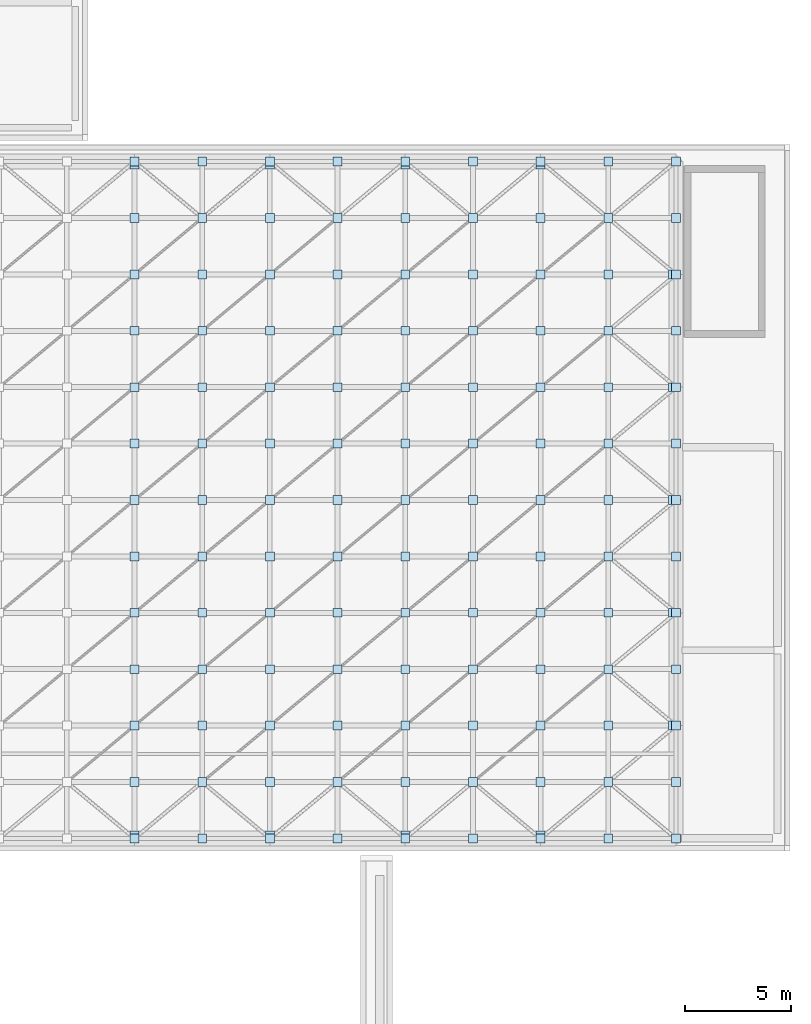
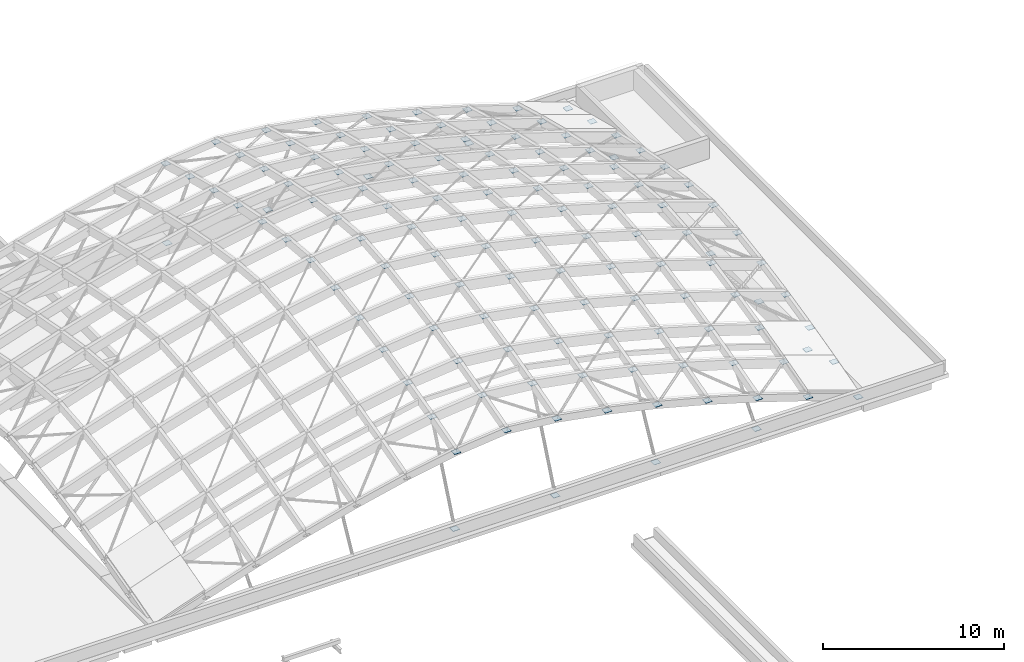
# One storey, part 36 of 40: 130 plates.
"""IFC4 building model written with IfcOpenShell, lengths in metres."""

from ifc_helpers import new_model, si_unit, direction, frame, origin, origin_2d, place, context, subcontext, project, spatial, rectangle, extrude, material, layer, layer_set, type_object, element, save


model = new_model("IFC4")

# Units and contexts
model_context = context("Model", 3, precision=1e-05, world=origin(), true_north=direction((0.0, 1.0)))
body_context = subcontext(model_context, "Body", "Model", "MODEL_VIEW")
ifc_project = project(units=[si_unit("LENGTHUNIT", "METRE"), si_unit("AREAUNIT", "SQUARE_METRE"), si_unit("VOLUMEUNIT", "CUBIC_METRE"), si_unit("PLANEANGLEUNIT", "RADIAN"), si_unit("MASSUNIT", "GRAM", prefix="KILO")], contexts=[model_context])

# Site, building, storey
site_placement = place(None, origin())
site = spatial("IfcSite", under=ifc_project, at=site_placement, CompositionType="ELEMENT")
building_placement = place(site_placement, origin())
building = spatial("IfcBuilding", under=site, at=building_placement, Name="Mzevani Central Library", CompositionType="ELEMENT")
storey_placement = place(building_placement, frame((0.0, 0.0, 26.699951171875)))
storey = spatial("IfcBuildingStorey", under=building, at=storey_placement, Name="RF", CompositionType="ELEMENT", Elevation=26.699951171875)

# Plates
ifc_material = material(Name="Steel S355J2", Category="steel")
ifc_layer = layer(ifc_material, 0.02001953125, Name="Gridshell Hub Gusset Plate 20")
ifc_layer_set = layer_set([ifc_layer], Name="Steel S355J2")
plate_type = type_object("IfcPlateType", Name="Gridshell Hub Gusset Plate 20", PredefinedType="SHEET", material=ifc_layer_set)
for number, where, z_axis, x_axis, name in (
    (1, (133.39990234375, 43.10009765625, -7.693115234375), (0.0, 0.0, 1.0), (1.0, 0.0, 0.0), "RF Gridshell Hub Gusset Node 7.1"),
    (2, (133.39990234375, 45.7666015625, -6.949951171875), (0.0, 0.0, 1.0), (1.0, 0.0, 0.0), "RF Gridshell Hub Gusset Node 7.2"),
    (3, (133.39990234375, 48.433349609375, -6.270751953125), (0.0, 0.0, 1.0), (1.0, 0.0, 0.0), "RF Gridshell Hub Gusset Node 7.3"),
    (4, (133.39990234375, 51.10009765625, -5.66455078125), (0.0, 0.0, 1.0), (1.0, 0.0, 0.0), "RF Gridshell Hub Gusset Node 7.4"),
    (5, (133.39990234375, 53.7666015625, -5.143798828125), (0.0, 0.0, 1.0), (1.0, 0.0, 0.0), "RF Gridshell Hub Gusset Node 7.5"),
    (6, (133.39990234375, 56.433349609375, -4.7314453125), (0.0, 0.0, 1.0), (1.0, 0.0, 0.0), "RF Gridshell Hub Gusset Node 7.6"),
    (7, (133.39990234375, 59.10009765625, -4.4931640625), (0.0, 0.0, 1.0), (1.0, 0.0, 0.0), "RF Gridshell Hub Gusset Node 7.7"),
    (8, (133.39990234375, 61.7666015625, -4.7314453125), (0.0, 0.0, 1.0), (1.0, 0.0, 0.0), "RF Gridshell Hub Gusset Node 7.8"),
    (9, (133.39990234375, 64.433349609375, -5.143798828125), (0.0, 0.0, 1.0), (1.0, 0.0, 0.0), "RF Gridshell Hub Gusset Node 7.9"),
    (10, (133.39990234375, 67.10009765625, -5.66455078125), (0.0, 0.0, 1.0), (1.0, 0.0, 0.0), "RF Gridshell Hub Gusset Node 7.10"),
    (11, (133.39990234375, 69.7666015625, -6.270751953125), (0.0, 0.0, 1.0), (1.0, 0.0, 0.0), "RF Gridshell Hub Gusset Node 7.11"),
    (12, (133.39990234375, 72.433349609375, -6.949951171875), (0.0, 0.0, 1.0), (1.0, 0.0, 0.0), "RF Gridshell Hub Gusset Node 7.12"),
    (13, (133.39990234375, 75.10009765625, -7.693115234375), (0.0, 0.0, 1.0), (1.0, 0.0, 0.0), "RF Gridshell Hub Gusset Node 7.13"),
    (14, (136.60009765625, 43.10009765625, -7.35986328125), (0.0, 0.0, 1.0), (1.0, 0.0, 0.0), "RF Gridshell Hub Gusset Node 8.1"),
    (15, (136.60009765625, 45.7666015625, -6.616455078125), (0.0, 0.0, 1.0), (1.0, 0.0, 0.0), "RF Gridshell Hub Gusset Node 8.2"),
    (16, (136.60009765625, 48.433349609375, -5.9375), (0.0, 0.0, 1.0), (1.0, 0.0, 0.0), "RF Gridshell Hub Gusset Node 8.3"),
    (17, (136.60009765625, 51.10009765625, -5.331298828125), (0.0, 0.0, 1.0), (1.0, 0.0, 0.0), "RF Gridshell Hub Gusset Node 8.4"),
    (18, (136.60009765625, 53.7666015625, -4.810546875), (0.0, 0.0, 1.0), (1.0, 0.0, 0.0), "RF Gridshell Hub Gusset Node 8.5"),
    (19, (136.60009765625, 56.433349609375, -4.398193359375), (0.0, 0.0, 1.0), (1.0, 0.0, 0.0), "RF Gridshell Hub Gusset Node 8.6"),
    (20, (136.60009765625, 59.10009765625, -4.159912109375), (0.0, 0.0, 1.0), (1.0, 0.0, 0.0), "RF Gridshell Hub Gusset Node 8.7"),
    (21, (136.60009765625, 61.7666015625, -4.398193359375), (0.0, 0.0, 1.0), (1.0, 0.0, 0.0), "RF Gridshell Hub Gusset Node 8.8"),
    (22, (136.60009765625, 64.433349609375, -4.810546875), (0.0, 0.0, 1.0), (1.0, 0.0, 0.0), "RF Gridshell Hub Gusset Node 8.9"),
    (23, (136.60009765625, 67.10009765625, -5.331298828125), (0.0, 0.0, 1.0), (1.0, 0.0, 0.0), "RF Gridshell Hub Gusset Node 8.10"),
    (24, (136.60009765625, 69.7666015625, -5.9375), (0.0, 0.0, 1.0), (1.0, 0.0, 0.0), "RF Gridshell Hub Gusset Node 8.11"),
    (25, (136.60009765625, 72.433349609375, -6.616455078125), (0.0, 0.0, 1.0), (1.0, 0.0, 0.0), "RF Gridshell Hub Gusset Node 8.12"),
    (26, (136.60009765625, 75.10009765625, -7.35986328125), (0.0, 0.0, 1.0), (1.0, 0.0, 0.0), "RF Gridshell Hub Gusset Node 8.13"),
    (27, (139.800048828125, 43.10009765625, -7.693115234375), (0.0, 0.0, 1.0), (1.0, 0.0, 0.0), "RF Gridshell Hub Gusset Node 9.1"),
    (28, (139.800048828125, 45.7666015625, -6.949951171875), (0.0, 0.0, 1.0), (1.0, 0.0, 0.0), "RF Gridshell Hub Gusset Node 9.2"),
    (29, (139.800048828125, 48.433349609375, -6.270751953125), (0.0, 0.0, 1.0), (1.0, 0.0, 0.0), "RF Gridshell Hub Gusset Node 9.3"),
    (30, (139.800048828125, 51.10009765625, -5.66455078125), (0.0, 0.0, 1.0), (1.0, 0.0, 0.0), "RF Gridshell Hub Gusset Node 9.4"),
    (31, (139.800048828125, 53.7666015625, -5.143798828125), (0.0, 0.0, 1.0), (1.0, 0.0, 0.0), "RF Gridshell Hub Gusset Node 9.5"),
    (32, (139.800048828125, 56.433349609375, -4.7314453125), (0.0, 0.0, 1.0), (1.0, 0.0, 0.0), "RF Gridshell Hub Gusset Node 9.6"),
    (33, (139.800048828125, 59.10009765625, -4.4931640625), (0.0, 0.0, 1.0), (1.0, 0.0, 0.0), "RF Gridshell Hub Gusset Node 9.7"),
    (34, (139.800048828125, 61.7666015625, -4.7314453125), (0.0, 0.0, 1.0), (1.0, 0.0, 0.0), "RF Gridshell Hub Gusset Node 9.8"),
    (35, (139.800048828125, 64.433349609375, -5.143798828125), (0.0, 0.0, 1.0), (1.0, 0.0, 0.0), "RF Gridshell Hub Gusset Node 9.9"),
    (36, (139.800048828125, 67.10009765625, -5.66455078125), (0.0, 0.0, 1.0), (1.0, 0.0, 0.0), "RF Gridshell Hub Gusset Node 9.10"),
    (37, (139.800048828125, 69.7666015625, -6.270751953125), (0.0, 0.0, 1.0), (1.0, 0.0, 0.0), "RF Gridshell Hub Gusset Node 9.11"),
    (38, (139.800048828125, 72.433349609375, -6.949951171875), (0.0, 0.0, 1.0), (1.0, 0.0, 0.0), "RF Gridshell Hub Gusset Node 9.12"),
    (39, (139.800048828125, 75.10009765625, -7.693115234375), (0.0, 0.0, 1.0), (1.0, 0.0, 0.0), "RF Gridshell Hub Gusset Node 9.13"),
    (40, (143.0, 43.10009765625, -8.2705078125), (0.0, 0.0, 1.0), (1.0, 0.0, 0.0), "RF Gridshell Hub Gusset Node 10.1"),
    (41, (143.0, 45.7666015625, -7.527099609375), (0.0, 0.0, 1.0), (1.0, 0.0, 0.0), "RF Gridshell Hub Gusset Node 10.2"),
    (42, (143.0, 48.433349609375, -6.847900390625), (0.0, 0.0, 1.0), (1.0, 0.0, 0.0), "RF Gridshell Hub Gusset Node 10.3"),
    (43, (143.0, 51.10009765625, -6.24169921875), (0.0, 0.0, 1.0), (1.0, 0.0, 0.0), "RF Gridshell Hub Gusset Node 10.4"),
    (44, (143.0, 53.7666015625, -5.72119140625), (0.0, 0.0, 1.0), (1.0, 0.0, 0.0), "RF Gridshell Hub Gusset Node 10.5"),
    (45, (143.0, 56.433349609375, -5.30859375), (0.0, 0.0, 1.0), (1.0, 0.0, 0.0), "RF Gridshell Hub Gusset Node 10.6"),
    (46, (143.0, 59.10009765625, -5.070556640625), (0.0, 0.0, 1.0), (1.0, 0.0, 0.0), "RF Gridshell Hub Gusset Node 10.7"),
    (47, (143.0, 61.7666015625, -5.30859375), (0.0, 0.0, 1.0), (1.0, 0.0, 0.0), "RF Gridshell Hub Gusset Node 10.8"),
    (48, (143.0, 64.433349609375, -5.72119140625), (0.0, 0.0, 1.0), (1.0, 0.0, 0.0), "RF Gridshell Hub Gusset Node 10.9"),
    (49, (143.0, 67.10009765625, -6.24169921875), (0.0, 0.0, 1.0), (1.0, 0.0, 0.0), "RF Gridshell Hub Gusset Node 10.10"),
    (50, (143.0, 69.7666015625, -6.847900390625), (0.0, 0.0, 1.0), (1.0, 0.0, 0.0), "RF Gridshell Hub Gusset Node 10.11"),
    (51, (143.0, 72.433349609375, -7.527099609375), (0.0, 0.0, 1.0), (1.0, 0.0, 0.0), "RF Gridshell Hub Gusset Node 10.12"),
    (52, (143.0, 75.10009765625, -8.2705078125), (0.0, 0.0, 1.0), (1.0, 0.0, 0.0), "RF Gridshell Hub Gusset Node 10.13"),
    (53, (146.199951171875, 43.10009765625, -8.9990234375), (0.0, 0.0, 1.0), (1.0, 0.0, 0.0), "RF Gridshell Hub Gusset Node 11.1"),
    (54, (146.199951171875, 45.7666015625, -8.255859375), (0.0, 0.0, 1.0), (1.0, 0.0, 0.0), "RF Gridshell Hub Gusset Node 11.2"),
    (55, (146.199951171875, 48.433349609375, -7.57666015625), (0.0, 0.0, 1.0), (1.0, 0.0, 0.0), "RF Gridshell Hub Gusset Node 11.3"),
    (56, (146.199951171875, 51.10009765625, -6.970458984375), (0.0, 0.0, 1.0), (1.0, 0.0, 0.0), "RF Gridshell Hub Gusset Node 11.4"),
    (57, (146.199951171875, 53.7666015625, -6.44970703125), (0.0, 0.0, 1.0), (1.0, 0.0, 0.0), "RF Gridshell Hub Gusset Node 11.5"),
    (58, (146.199951171875, 56.433349609375, -6.037353515625), (0.0, 0.0, 1.0), (1.0, 0.0, 0.0), "RF Gridshell Hub Gusset Node 11.6"),
    (59, (146.199951171875, 59.10009765625, -5.799072265625), (0.0, 0.0, 1.0), (1.0, 0.0, 0.0), "RF Gridshell Hub Gusset Node 11.7"),
    (60, (146.199951171875, 61.7666015625, -6.037353515625), (0.0, 0.0, 1.0), (1.0, 0.0, 0.0), "RF Gridshell Hub Gusset Node 11.8"),
    (61, (146.199951171875, 64.433349609375, -6.44970703125), (0.0, 0.0, 1.0), (1.0, 0.0, 0.0), "RF Gridshell Hub Gusset Node 11.9"),
    (62, (146.199951171875, 67.10009765625, -6.970458984375), (0.0, 0.0, 1.0), (1.0, 0.0, 0.0), "RF Gridshell Hub Gusset Node 11.10"),
    (63, (146.199951171875, 69.7666015625, -7.57666015625), (0.0, 0.0, 1.0), (1.0, 0.0, 0.0), "RF Gridshell Hub Gusset Node 11.11"),
    (64, (146.199951171875, 72.433349609375, -8.255859375), (0.0, 0.0, 1.0), (1.0, 0.0, 0.0), "RF Gridshell Hub Gusset Node 11.12"),
    (65, (146.199951171875, 75.10009765625, -8.9990234375), (0.0, 0.0, 1.0), (1.0, 0.0, 0.0), "RF Gridshell Hub Gusset Node 11.13"),
    (66, (149.39990234375, 43.10009765625, -9.84765625), (0.0, 0.0, 1.0), (1.0, 0.0, 0.0), "RF Gridshell Hub Gusset Node 12.1"),
    (67, (149.39990234375, 45.7666015625, -9.104248046875), (0.0, 0.0, 1.0), (1.0, 0.0, 0.0), "RF Gridshell Hub Gusset Node 12.2"),
    (68, (149.39990234375, 48.433349609375, -8.425048828125), (0.0, 0.0, 1.0), (1.0, 0.0, 0.0), "RF Gridshell Hub Gusset Node 12.3"),
    (69, (149.39990234375, 51.10009765625, -7.81884765625), (0.0, 0.0, 1.0), (1.0, 0.0, 0.0), "RF Gridshell Hub Gusset Node 12.4"),
    (70, (149.39990234375, 53.7666015625, -7.298095703125), (0.0, 0.0, 1.0), (1.0, 0.0, 0.0), "RF Gridshell Hub Gusset Node 12.5"),
    (71, (149.39990234375, 56.433349609375, -6.8857421875), (0.0, 0.0, 1.0), (1.0, 0.0, 0.0), "RF Gridshell Hub Gusset Node 12.6"),
    (72, (149.39990234375, 59.10009765625, -6.6474609375), (0.0, 0.0, 1.0), (1.0, 0.0, 0.0), "RF Gridshell Hub Gusset Node 12.7"),
    (73, (149.39990234375, 61.7666015625, -6.8857421875), (0.0, 0.0, 1.0), (1.0, 0.0, 0.0), "RF Gridshell Hub Gusset Node 12.8"),
    (74, (149.39990234375, 64.433349609375, -7.298095703125), (0.0, 0.0, 1.0), (1.0, 0.0, 0.0), "RF Gridshell Hub Gusset Node 12.9"),
    (75, (149.39990234375, 67.10009765625, -7.81884765625), (0.0, 0.0, 1.0), (1.0, 0.0, 0.0), "RF Gridshell Hub Gusset Node 12.10"),
    (76, (149.39990234375, 69.7666015625, -8.425048828125), (0.0, 0.0, 1.0), (1.0, 0.0, 0.0), "RF Gridshell Hub Gusset Node 12.11"),
    (77, (149.39990234375, 72.433349609375, -9.104248046875), (0.0, 0.0, 1.0), (1.0, 0.0, 0.0), "RF Gridshell Hub Gusset Node 12.12"),
    (78, (149.39990234375, 75.10009765625, -9.84765625), (0.0, 0.0, 1.0), (1.0, 0.0, 0.0), "RF Gridshell Hub Gusset Node 12.13"),
    (79, (152.60009765625, 43.10009765625, -10.7978515625), (0.0, 0.0, 1.0), (1.0, 0.0, 0.0), "RF Gridshell Hub Gusset Node 13.1"),
    (80, (152.60009765625, 45.7666015625, -10.054443359375), (0.0, 0.0, 1.0), (1.0, 0.0, 0.0), "RF Gridshell Hub Gusset Node 13.2"),
    (81, (152.60009765625, 48.433349609375, -9.37548828125), (0.0, 0.0, 1.0), (1.0, 0.0, 0.0), "RF Gridshell Hub Gusset Node 13.3"),
    (82, (152.60009765625, 51.10009765625, -8.769287109375), (0.0, 0.0, 1.0), (1.0, 0.0, 0.0), "RF Gridshell Hub Gusset Node 13.4"),
    (83, (152.60009765625, 53.7666015625, -8.24853515625), (0.0, 0.0, 1.0), (1.0, 0.0, 0.0), "RF Gridshell Hub Gusset Node 13.5"),
    (84, (152.60009765625, 56.433349609375, -7.836181640625), (0.0, 0.0, 1.0), (1.0, 0.0, 0.0), "RF Gridshell Hub Gusset Node 13.6"),
    (85, (152.60009765625, 59.10009765625, -7.597900390625), (0.0, 0.0, 1.0), (1.0, 0.0, 0.0), "RF Gridshell Hub Gusset Node 13.7"),
    (86, (152.60009765625, 61.7666015625, -7.836181640625), (0.0, 0.0, 1.0), (1.0, 0.0, 0.0), "RF Gridshell Hub Gusset Node 13.8"),
    (87, (152.60009765625, 64.433349609375, -8.24853515625), (0.0, 0.0, 1.0), (1.0, 0.0, 0.0), "RF Gridshell Hub Gusset Node 13.9"),
    (88, (152.60009765625, 67.10009765625, -8.769287109375), (0.0, 0.0, 1.0), (1.0, 0.0, 0.0), "RF Gridshell Hub Gusset Node 13.10"),
    (89, (152.60009765625, 69.7666015625, -9.37548828125), (0.0, 0.0, 1.0), (1.0, 0.0, 0.0), "RF Gridshell Hub Gusset Node 13.11"),
    (90, (152.60009765625, 72.433349609375, -10.054443359375), (0.0, 0.0, 1.0), (1.0, 0.0, 0.0), "RF Gridshell Hub Gusset Node 13.12"),
    (91, (152.60009765625, 75.10009765625, -10.7978515625), (0.0, 0.0, 1.0), (1.0, 0.0, 0.0), "RF Gridshell Hub Gusset Node 13.13"),
    (92, (155.800048828125, 43.10009765625, -11.83837890625), (0.0, 0.0, 1.0), (1.0, 0.0, 0.0), "RF Gridshell Hub Gusset Node 14.1"),
    (93, (155.800048828125, 45.7666015625, -11.094970703125), (0.0, 0.0, 1.0), (1.0, 0.0, 0.0), "RF Gridshell Hub Gusset Node 14.2"),
    (94, (155.800048828125, 48.433349609375, -10.415771484375), (0.0, 0.0, 1.0), (1.0, 0.0, 0.0), "RF Gridshell Hub Gusset Node 14.3"),
    (95, (155.800048828125, 51.10009765625, -9.8095703125), (0.0, 0.0, 1.0), (1.0, 0.0, 0.0), "RF Gridshell Hub Gusset Node 14.4"),
    (96, (155.800048828125, 53.7666015625, -9.288818359375), (0.0, 0.0, 1.0), (1.0, 0.0, 0.0), "RF Gridshell Hub Gusset Node 14.5"),
    (97, (155.800048828125, 56.433349609375, -8.87646484375), (0.0, 0.0, 1.0), (1.0, 0.0, 0.0), "RF Gridshell Hub Gusset Node 14.6"),
    (98, (155.800048828125, 59.10009765625, -8.63818359375), (0.0, 0.0, 1.0), (1.0, 0.0, 0.0), "RF Gridshell Hub Gusset Node 14.7"),
    (99, (155.800048828125, 61.7666015625, -8.87646484375), (0.0, 0.0, 1.0), (1.0, 0.0, 0.0), "RF Gridshell Hub Gusset Node 14.8"),
    (100, (155.800048828125, 64.433349609375, -9.288818359375), (0.0, 0.0, 1.0), (1.0, 0.0, 0.0), "RF Gridshell Hub Gusset Node 14.9"),
    (101, (155.800048828125, 67.10009765625, -9.8095703125), (0.0, 0.0, 1.0), (1.0, 0.0, 0.0), "RF Gridshell Hub Gusset Node 14.10"),
    (102, (155.800048828125, 69.7666015625, -10.415771484375), (0.0, 0.0, 1.0), (1.0, 0.0, 0.0), "RF Gridshell Hub Gusset Node 14.11"),
    (103, (155.800048828125, 72.433349609375, -11.094970703125), (0.0, 0.0, 1.0), (1.0, 0.0, 0.0), "RF Gridshell Hub Gusset Node 14.12"),
    (104, (155.800048828125, 75.10009765625, -11.83837890625), (0.0, 0.0, 1.0), (1.0, 0.0, 0.0), "RF Gridshell Hub Gusset Node 14.13"),
    (105, (159.0, 43.10009765625, -12.9599609375), (0.0, 0.0, 1.0), (1.0, 0.0, 0.0), "RF Gridshell Hub Gusset Node 15.1"),
    (106, (159.0, 45.7666015625, -12.216552734375), (0.0, 0.0, 1.0), (1.0, 0.0, 0.0), "RF Gridshell Hub Gusset Node 15.2"),
    (107, (159.0, 48.433349609375, -11.53759765625), (0.0, 0.0, 1.0), (1.0, 0.0, 0.0), "RF Gridshell Hub Gusset Node 15.3"),
    (108, (159.0, 51.10009765625, -10.93115234375), (0.0, 0.0, 1.0), (1.0, 0.0, 0.0), "RF Gridshell Hub Gusset Node 15.4"),
    (109, (159.0, 53.7666015625, -10.41064453125), (0.0, 0.0, 1.0), (1.0, 0.0, 0.0), "RF Gridshell Hub Gusset Node 15.5"),
    (110, (159.0, 56.433349609375, -9.998046875), (0.0, 0.0, 1.0), (1.0, 0.0, 0.0), "RF Gridshell Hub Gusset Node 15.6"),
    (111, (159.0, 59.10009765625, -9.760009765625), (0.0, 0.0, 1.0), (1.0, 0.0, 0.0), "RF Gridshell Hub Gusset Node 15.7"),
    (112, (159.0, 61.7666015625, -9.998046875), (0.0, 0.0, 1.0), (1.0, 0.0, 0.0), "RF Gridshell Hub Gusset Node 15.8"),
    (113, (159.0, 64.433349609375, -10.41064453125), (0.0, 0.0, 1.0), (1.0, 0.0, 0.0), "RF Gridshell Hub Gusset Node 15.9"),
    (114, (159.0, 67.10009765625, -10.93115234375), (0.0, 0.0, 1.0), (1.0, 0.0, 0.0), "RF Gridshell Hub Gusset Node 15.10"),
    (115, (159.0, 69.7666015625, -11.53759765625), (0.0, 0.0, 1.0), (1.0, 0.0, 0.0), "RF Gridshell Hub Gusset Node 15.11"),
    (116, (159.0, 72.433349609375, -12.216552734375), (0.0, 0.0, 1.0), (1.0, 0.0, 0.0), "RF Gridshell Hub Gusset Node 15.12"),
    (117, (159.0, 75.10009765625, -12.9599609375), (0.0, 0.0, 1.0), (1.0, 0.0, 0.0), "RF Gridshell Hub Gusset Node 15.13"),
    (118, (133.39990234375, 43.25, -12.9599609375), (0.0, 0.0, 1.0), (1.0, 0.0, 0.0), "RF Gridshell Raker Base Shoe Plate S.3"),
    (119, (133.39990234375, 74.949951171875, -12.9599609375), (0.0, 0.0, 1.0), (1.0, 0.0, 0.0), "RF Gridshell Raker Base Shoe Plate N.3"),
    (120, (139.800048828125, 43.25, -12.9599609375), (0.0, 0.0, 1.0), (1.0, 0.0, 0.0), "RF Gridshell Raker Base Shoe Plate S.4"),
    (121, (139.800048828125, 74.949951171875, -12.9599609375), (0.0, 0.0, 1.0), (1.0, 0.0, 0.0), "RF Gridshell Raker Base Shoe Plate N.4"),
    (122, (146.199951171875, 43.25, -12.9599609375), (0.0, 0.0, 1.0), (1.0, 0.0, 0.0), "RF Gridshell Raker Base Shoe Plate S.5"),
    (123, (146.199951171875, 74.949951171875, -12.9599609375), (0.0, 0.0, 1.0), (1.0, 0.0, 0.0), "RF Gridshell Raker Base Shoe Plate N.5"),
    (124, (152.60009765625, 43.25, -12.9599609375), (0.0, 0.0, 1.0), (1.0, 0.0, 0.0), "RF Gridshell Raker Base Shoe Plate S.6"),
    (125, (152.60009765625, 74.949951171875, -12.9599609375), (0.0, 0.0, 1.0), (1.0, 0.0, 0.0), "RF Gridshell Raker Base Shoe Plate N.6"),
    (126, (158.85009765625, 48.433349609375, -12.9599609375), (0.0, 0.0, 1.0), (1.0, 0.0, 0.0), "RF Gridshell Raker Base Shoe Plate E.1"),
    (127, (158.85009765625, 53.7666015625, -12.9599609375), (0.0, 0.0, 1.0), (1.0, 0.0, 0.0), "RF Gridshell Raker Base Shoe Plate E.2"),
    (128, (158.85009765625, 59.10009765625, -12.9599609375), (0.0, 0.0, 1.0), (1.0, 0.0, 0.0), "RF Gridshell Raker Base Shoe Plate E.3"),
    (129, (158.85009765625, 64.433349609375, -12.9599609375), (0.0, 0.0, 1.0), (1.0, 0.0, 0.0), "RF Gridshell Raker Base Shoe Plate E.4"),
    (130, (158.85009765625, 69.7666015625, -12.9599609375), (0.0, 0.0, 1.0), (1.0, 0.0, 0.0), "RF Gridshell Raker Base Shoe Plate E.5"),
):
    element("IfcPlate", number, at=place(storey_placement, frame(where, z_axis=z_axis, x_axis=x_axis)), inside=storey, type_object=plate_type, Name=name, PredefinedType="SHEET", context=body_context, shape_type="SweptSolid", body=[
        extrude(rectangle(XDim=0.419921875, YDim=0.419921875, at=origin_2d()), origin(), (0.0, 0.0, 1.0), 0.02001953125),
    ])

save(model, "model.ifc")
